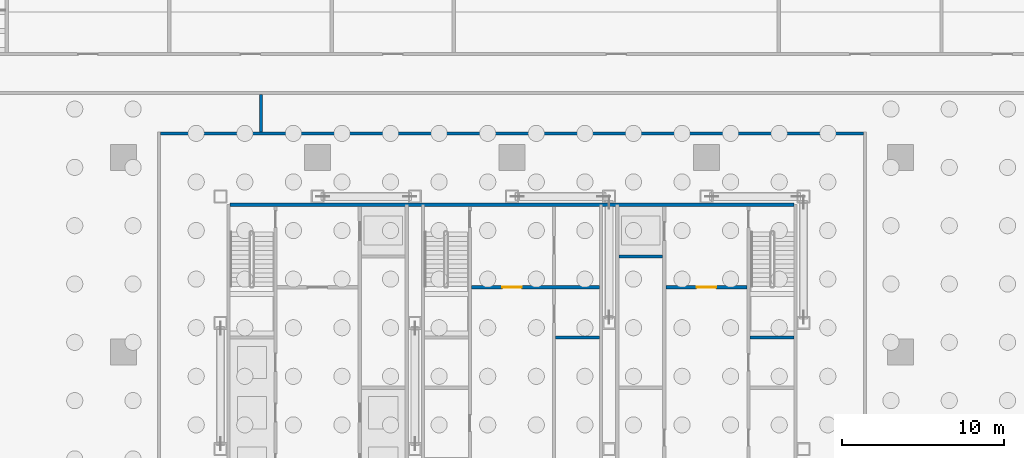
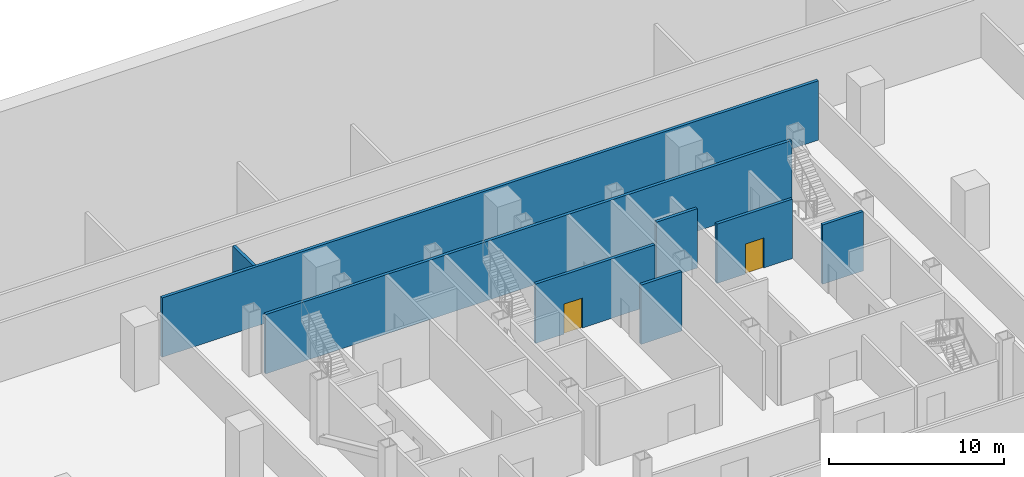
# One storey, part 8 of 18: 8 walls, 2 doors, 2 openings.
"""IFC4 building model written with IfcOpenShell, lengths in metres."""

from ifc_helpers import new_model, si_unit, direction, frame, frame_2d, origin, place, context, subcontext, project, spatial, rectangle, extrude, material, layer, layer_set, type_object, element, fill, save


model = new_model("IFC4")

# Units and contexts
model_context = context("Model", 3, precision=1e-05, world=origin(), true_north=direction((0.0, 1.0)))
body_context = subcontext(model_context, "Body", "Model", "MODEL_VIEW")
ifc_project = project(units=[si_unit("LENGTHUNIT", "METRE"), si_unit("AREAUNIT", "SQUARE_METRE"), si_unit("VOLUMEUNIT", "CUBIC_METRE"), si_unit("PLANEANGLEUNIT", "RADIAN"), si_unit("MASSUNIT", "GRAM", prefix="KILO")], contexts=[model_context])

# Site, building, storey
site_placement = place(None, origin())
site = spatial("IfcSite", under=ifc_project, at=site_placement, CompositionType="ELEMENT")
building_placement = place(site_placement, origin())
building = spatial("IfcBuilding", under=site, at=building_placement, Name="Sorahane Residences", CompositionType="ELEMENT")
storey_placement = place(building_placement, frame((0.0, 0.0, -13.5)))
storey = spatial("IfcBuildingStorey", under=building, at=storey_placement, Name="B3", CompositionType="ELEMENT", Elevation=-13.5)

# Walls
ifc_material_1 = material(Name="Concrete C30", Category="concrete")
ifc_layer_1 = layer(ifc_material_1, 0.199951171875)
ifc_layer_set_1 = layer_set([ifc_layer_1], Name="Core face wall 200 EI 180")
wall_type_1 = type_object("IfcWallType", Name="Core face wall 200 EI 180", PredefinedType="SOLIDWALL", material=ifc_layer_set_1)
wall_1_placement = place(storey_placement, frame((6.60009765625, 45.10009765625, 0.0), z_axis=(0.0, 0.0, 1.0), x_axis=(1.0, 0.0, 0.0)))
element("IfcWall", 1, at=wall_1_placement, inside=storey, type_object=wall_type_1, Name="B3 core face wall", PredefinedType="SOLIDWALL", context=body_context, shape_type="SweptSolid", body=[
    extrude(rectangle(XDim=34.7998046875, YDim=0.199951171875, at=frame_2d((17.39990234375, 0.0))), origin(), (0.0, 0.0, 1.0), 4.14990234375),
])
ifc_material_2 = material(Name="Concrete blockwork C20 wall", Category="masonry")
ifc_layer_2 = layer(ifc_material_2, 0.199951171875)
ifc_layer_set_2 = layer_set([ifc_layer_2], Name="Fire wall 200 EI 120")
wall_type_2 = type_object("IfcWallType", Name="Fire wall 200 EI 120", PredefinedType="SOLIDWALL", material=ifc_layer_set_2)
wall_2_placement = place(storey_placement, frame((8.5, 49.60009765625, 0.0), z_axis=(0.0, 0.0, 1.0), x_axis=(0.0, 1.0, 0.0)))
element("IfcWall", 2, at=wall_2_placement, inside=storey, type_object=wall_type_2, Name="B3 fire wall", PredefinedType="SOLIDWALL", context=body_context, shape_type="SweptSolid", body=[
    extrude(rectangle(XDim=2.2998046875, YDim=0.199951171875, at=frame_2d((1.14990234375, 0.0))), origin(), (0.0, 0.0, 1.0), 4.14990234375),
])
wall_3_placement = place(storey_placement, frame((2.300048828125, 49.5, 0.0), z_axis=(0.0, 0.0, 1.0), x_axis=(1.0, 0.0, 0.0)))
element("IfcWall", 3, at=wall_3_placement, inside=storey, type_object=wall_type_2, Name="B3 fire wall", PredefinedType="SOLIDWALL", context=body_context, shape_type="SweptSolid", body=[
    extrude(rectangle(XDim=43.39990234375, YDim=0.199951171875, at=frame_2d((21.699951171875, 0.0))), origin(), (0.0, 0.0, 1.0), 4.14990234375),
])

# Wall, opening, door
ifc_material_3 = material(Name="Concrete C30", Category="concrete")
ifc_layer_3 = layer(ifc_material_3, 0.199951171875)
ifc_layer_set_3 = layer_set([ifc_layer_3], Name="Front room wall 200 EI 120")
wall_type_3 = type_object("IfcWallType", Name="Front room wall 200 EI 120", PredefinedType="PARTITIONING", material=ifc_layer_set_3)
wall_4_placement = place(storey_placement, frame((21.5, 40.0, 0.0), z_axis=(0.0, 0.0, 1.0), x_axis=(1.0, 0.0, 0.0)))
wall_4 = element("IfcWall", 4, at=wall_4_placement, inside=storey, type_object=wall_type_3, Name="B3 front room wall", PredefinedType="PARTITIONING", context=body_context, shape_type="SweptSolid", body=[
    extrude(rectangle(XDim=7.89990234375, YDim=0.199951171875, at=frame_2d((3.949951171875, 0.0))), origin(), (0.0, 0.0, 1.0), 4.14990234375),
])
opening_1_placement = place(wall_4_placement, frame((1.89990234375, 0.0, 0.0)))
opening_1 = element("IfcOpeningElement", 5, at=opening_1_placement, cuts=wall_4, Name="Opening B3-C09", PredefinedType="OPENING", context=body_context, shape_type="SweptSolid", body=[
    extrude(rectangle(XDim=1.199951171875, YDim=2.10009765625, at=frame_2d((0.60009765625, 1.050048828125))), frame((0.0, 0.10986328125, 0.0), z_axis=(0.0, -1.0, 0.0), x_axis=(1.0, 0.0, 0.0)), (0.0, 0.0, 1.0), 0.219970703125),
])
ifc_material_4 = material(Name="Steel", Category="steel")
door_type = type_object("IfcDoorType", Name="Front room door 1200x2100 FD120", OperationType="NOTDEFINED", PredefinedType="DOOR", material=ifc_material_4)
door_1_placement = place(opening_1_placement, frame((1.199951171875, 0.0, 0.0), z_axis=(0.0, 0.0, 1.0), x_axis=(-1.0, 0.0, 0.0)))
door_1 = element("IfcDoor", 6, at=door_1_placement, inside=storey, type_object=door_type, Name="Front room door Stair S3 vestibule B3", OperationType="DOUBLE_DOOR_SINGLE_SWING", OverallHeight=2.10009765625, OverallWidth=1.199951171875, PredefinedType="DOOR", context=body_context, shape_type="SweptSolid", body=[
    extrude(rectangle(XDim=1.199951171875, YDim=2.10009765625, at=frame_2d((0.60009765625, 1.050048828125))), frame((0.0, 0.02490234375, 0.0), z_axis=(0.0, -1.0, 0.0), x_axis=(1.0, 0.0, 0.0)), (0.0, 0.0, 1.0), 0.050048828125),
])
fill(opening_1, door_1)

wall_5_placement = place(storey_placement, frame((33.5, 40.0, 0.0), z_axis=(0.0, 0.0, 1.0), x_axis=(1.0, 0.0, 0.0)))
wall_5 = element("IfcWall", 7, at=wall_5_placement, inside=storey, type_object=wall_type_3, Name="B3 front room wall", PredefinedType="PARTITIONING", context=body_context, shape_type="SweptSolid", body=[
    extrude(rectangle(XDim=5.0, YDim=0.199951171875, at=frame_2d((2.5, 0.0))), origin(), (0.0, 0.0, 1.0), 4.14990234375),
])
opening_2_placement = place(wall_5_placement, frame((1.89990234375, 0.0, 0.0)))
opening_2 = element("IfcOpeningElement", 8, at=opening_2_placement, cuts=wall_5, Name="Opening B3-C11", PredefinedType="OPENING", context=body_context, shape_type="SweptSolid", body=[
    extrude(rectangle(XDim=1.199951171875, YDim=2.10009765625, at=frame_2d((0.60009765625, 1.050048828125))), frame((0.0, 0.10986328125, 0.0), z_axis=(0.0, -1.0, 0.0), x_axis=(1.0, 0.0, 0.0)), (0.0, 0.0, 1.0), 0.219970703125),
])
door_2_placement = place(opening_2_placement, frame((1.199951171875, 0.0, 0.0), z_axis=(0.0, 0.0, 1.0), x_axis=(-1.0, 0.0, 0.0)))
door_2 = element("IfcDoor", 9, at=door_2_placement, inside=storey, type_object=door_type, Name="Front room door Firefighting lobby FF2 front room B3", OperationType="DOUBLE_DOOR_SINGLE_SWING", OverallHeight=2.10009765625, OverallWidth=1.199951171875, PredefinedType="DOOR", context=body_context, shape_type="SweptSolid", body=[
    extrude(rectangle(XDim=1.199951171875, YDim=2.10009765625, at=frame_2d((0.60009765625, 1.050048828125))), frame((0.0, 0.02490234375, 0.0), z_axis=(0.0, -1.0, 0.0), x_axis=(1.0, 0.0, 0.0)), (0.0, 0.0, 1.0), 0.050048828125),
])
fill(opening_2, door_2)

# Walls
ifc_material_5 = material(Name="Concrete C30", Category="concrete")
ifc_layer_4 = layer(ifc_material_5, 0.199951171875)
ifc_layer_set_4 = layer_set([ifc_layer_4], Name="Lift shaft wall 200 EI 120")
wall_type_4 = type_object("IfcWallType", Name="Lift shaft wall 200 EI 120", PredefinedType="SOLIDWALL", material=ifc_layer_set_4)
wall_6_placement = place(storey_placement, frame((30.60009765625, 41.89990234375, 0.0), z_axis=(0.0, 0.0, 1.0), x_axis=(1.0, 0.0, 0.0)))
element("IfcWall", 10, at=wall_6_placement, inside=storey, type_object=wall_type_4, Name="B3 lift shaft wall", PredefinedType="SOLIDWALL", context=body_context, shape_type="SweptSolid", body=[
    extrude(rectangle(XDim=2.699951171875, YDim=0.199951171875, at=frame_2d((1.35009765625, 0.0))), origin(), (0.0, 0.0, 1.0), 4.14990234375),
])
ifc_material_6 = material(Name="Concrete C30", Category="concrete")
ifc_layer_5 = layer(ifc_material_6, 0.199951171875)
ifc_layer_set_5 = layer_set([ifc_layer_5], Name="Service room partition 200 EI 60")
wall_type_5 = type_object("IfcWallType", Name="Service room partition 200 EI 60", PredefinedType="PARTITIONING", material=ifc_layer_set_5)
wall_7_placement = place(storey_placement, frame((26.699951171875, 36.89990234375, 0.0), z_axis=(0.0, 0.0, 1.0), x_axis=(1.0, 0.0, 0.0)))
element("IfcWall", 11, at=wall_7_placement, inside=storey, type_object=wall_type_5, Name="B3 service room wall", PredefinedType="PARTITIONING", context=body_context, shape_type="SweptSolid", body=[
    extrude(rectangle(XDim=2.699951171875, YDim=0.199951171875, at=frame_2d((1.35009765625, 0.0))), origin(), (0.0, 0.0, 1.0), 4.14990234375),
])
ifc_material_7 = material(Name="Concrete C30", Category="concrete")
ifc_layer_6 = layer(ifc_material_7, 0.199951171875)
ifc_layer_set_6 = layer_set([ifc_layer_6], Name="Stair enclosure wall 200 EI 120")
wall_type_6 = type_object("IfcWallType", Name="Stair enclosure wall 200 EI 120", PredefinedType="SOLIDWALL", material=ifc_layer_set_6)
wall_8_placement = place(storey_placement, frame((38.699951171875, 36.89990234375, 0.0), z_axis=(0.0, 0.0, 1.0), x_axis=(1.0, 0.0, 0.0)))
element("IfcWall", 12, at=wall_8_placement, inside=storey, type_object=wall_type_6, Name="B3 stair enclosure wall", PredefinedType="SOLIDWALL", context=body_context, shape_type="SweptSolid", body=[
    extrude(rectangle(XDim=2.699951171875, YDim=0.199951171875, at=frame_2d((1.35009765625, 0.0))), origin(), (0.0, 0.0, 1.0), 4.14990234375),
])

save(model, "model.ifc")
